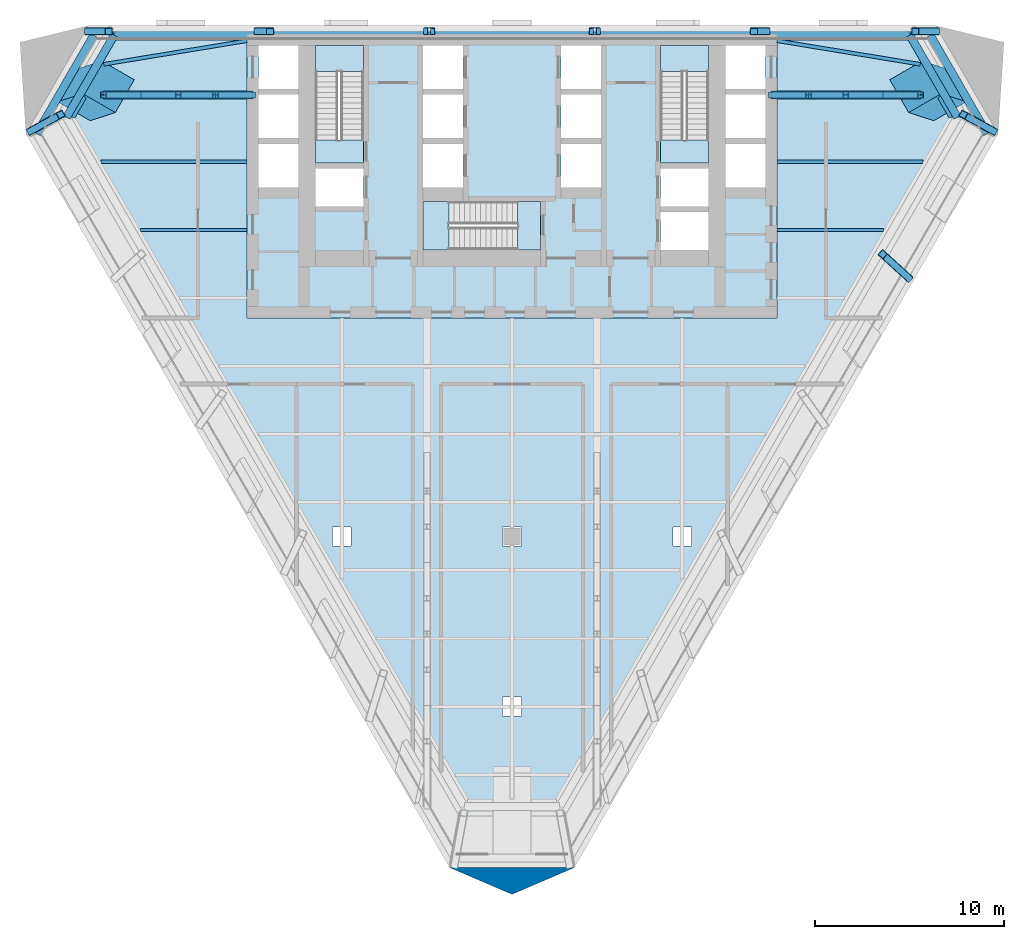
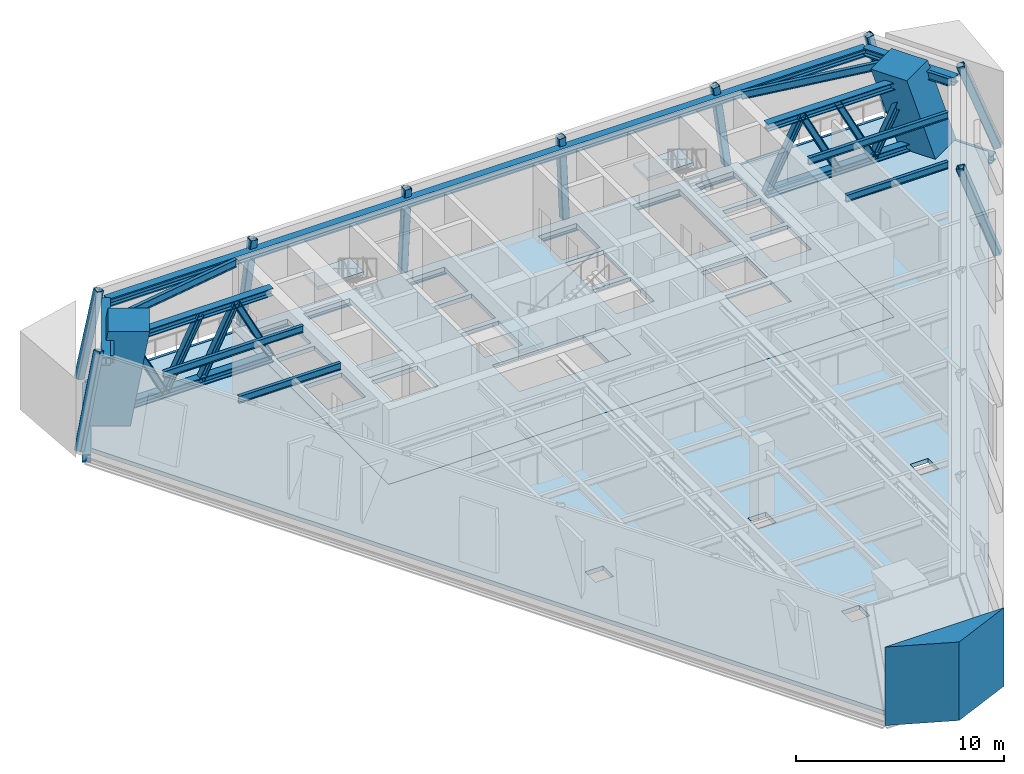
# One storey, part 2 of 9: 19 members, 18 beams, 8 slabs, 1 wall, 3 elements without a shape of their own.
"""IFC4 building model written with IfcOpenShell, lengths in metres."""

import ifcopenshell
import ifcopenshell.guid

model = None  # the IFC model being written
_history = None  # IfcOwnerHistory: only IFC2X3 demands one
_inside = {}  # id of a spatial element -> (the spatial element, [elements in it])
_under = {}  # id of a project, library or spatial element -> (it, [spatial elements below it])
_declared = {}  # id of a project -> (the project, [libraries it declares])
_typed = {}  # id of a type object -> (the type object, [elements of that type])
_made_of = {}  # id of a material, layer set ... -> (it, [elements and type objects made of it])


def new_model(schema):
    """Start an empty IFC model of exactly this schema.

    Asked for "IFC4X3", IfcOpenShell would pick the latest addendum, in which some entities
    have other attributes; the version numbers below select the first issue.
    IFC2X3 requires an IfcOwnerHistory on every rooted entity: one is made here for all.
    """
    global model, _history
    if schema == "IFC4X3":
        model = ifcopenshell.file(schema_version=(4, 3, 0, 0))
    else:
        model = ifcopenshell.file(schema=schema)
    _inside.clear()
    _under.clear()
    _declared.clear()
    _typed.clear()
    _made_of.clear()
    _history = None
    if model.schema == "IFC2X3":
        org = make("IfcOrganization", Name="unknown")
        user = make(
            "IfcPersonAndOrganization",
            ThePerson=make("IfcPerson", FamilyName="unknown"),
            TheOrganization=org,
        )
        app = make(
            "IfcApplication",
            ApplicationDeveloper=org,
            Version="unknown",
            ApplicationFullName="unknown",
            ApplicationIdentifier="unknown",
        )
        _history = make(
            "IfcOwnerHistory",
            OwningUser=user,
            OwningApplication=app,
            ChangeAction="ADDED",
            CreationDate=0,
        )
    return model


def make(cls, **values):
    """One entity of the class cls with the attributes given. An attribute that is None is left unset."""
    return model.create_entity(
        cls, **{name: value for name, value in values.items() if value is not None}
    )


def rooted(cls, **values):
    """An entity with a GlobalId (a new one), such as an element, a storey or a relation."""
    return make(cls, GlobalId=ifcopenshell.guid.new(), OwnerHistory=_history, **values)


def si_unit(unit_type, name, prefix=None):
    """IfcSIUnit, for example si_unit("LENGTHUNIT", "METRE", prefix="MILLI")."""
    return make("IfcSIUnit", UnitType=unit_type, Prefix=prefix, Name=name)


def assignment(units):
    """IfcUnitAssignment: the units of a project."""
    return None if units is None else make("IfcUnitAssignment", Units=units)


def point(xyz):
    """IfcCartesianPoint."""
    return None if xyz is None else make("IfcCartesianPoint", Coordinates=xyz)


def direction(xyz):
    """IfcDirection."""
    return None if xyz is None else make("IfcDirection", DirectionRatios=xyz)


def frame(location, z_axis=None, x_axis=None):
    """IfcAxis2Placement3D, a coordinate frame: its origin and axes. An axis left out is left unset."""
    return make(
        "IfcAxis2Placement3D",
        Location=point(location),
        Axis=direction(z_axis),
        RefDirection=direction(x_axis),
    )


def frame_2d(location, x_axis=None):
    """IfcAxis2Placement2D, a coordinate frame in the plane: its origin and x axis."""
    return make(
        "IfcAxis2Placement2D", Location=point(location), RefDirection=direction(x_axis)
    )


def origin():
    """The frame at (0, 0, 0) with its axes left unset."""
    return frame((0.0, 0.0, 0.0))


def origin_2d():
    """The frame at (0, 0) in the plane with its x axis left unset."""
    return frame_2d((0.0, 0.0))


def place(relative_to, where):
    """IfcLocalPlacement: puts the frame where relative to a parent placement (None: the world)."""
    return make(
        "IfcLocalPlacement", PlacementRelTo=relative_to, RelativePlacement=where
    )


def context(
    kind, dimensions, precision=None, world=None, true_north=None, identifier=None
):
    """IfcGeometricRepresentationContext, for example the 3D "Model" context."""
    return make(
        "IfcGeometricRepresentationContext",
        ContextIdentifier=identifier,
        ContextType=kind,
        CoordinateSpaceDimension=dimensions,
        Precision=precision,
        WorldCoordinateSystem=world,
        TrueNorth=true_north,
    )


def subcontext(parent, identifier, kind, view, scale=None):
    """IfcGeometricRepresentationSubContext, for example "Body" below "Model"."""
    return make(
        "IfcGeometricRepresentationSubContext",
        ContextIdentifier=identifier,
        ContextType=kind,
        ParentContext=parent,
        TargetScale=scale,
        TargetView=view,
    )


def project(units=None, contexts=None):
    """IfcProject with its units and contexts."""
    return rooted(
        "IfcProject",
        Name="project",
        RepresentationContexts=contexts,
        UnitsInContext=assignment(units),
    )


def spatial(cls, under=None, at=None, **own):
    """A site, building, storey or space (cls), placed at a placement, below another one or the project."""
    s = rooted(cls, ObjectPlacement=at, **own)
    if under is not None:
        _under.setdefault(under.id(), (under, []))[1].append(s)
    return s


def polyline(points):
    """IfcPolyline through the points."""
    return make("IfcPolyline", Points=[point(p) for p in points])


def profile(cls, at=None, kind="AREA", **sizes):
    """A parametric profile (cls). Its sizes go by their IFC names, for example OverallWidth=200.0."""
    return make(cls, ProfileType=kind, Position=at, **sizes)


def rectangle(**sizes):
    """IfcRectangleProfileDef."""
    return profile("IfcRectangleProfileDef", **sizes)


def hollow_rectangle(**sizes):
    """IfcRectangleHollowProfileDef."""
    return profile("IfcRectangleHollowProfileDef", **sizes)


def i_section(**sizes):
    """IfcIShapeProfileDef."""
    return profile("IfcIShapeProfileDef", **sizes)


def outline(outer, holes=None, kind="AREA"):
    """IfcArbitraryClosedProfileDef: a profile drawn as a closed curve; with holes, ...WithVoids."""
    if holes is None:
        return make("IfcArbitraryClosedProfileDef", ProfileType=kind, OuterCurve=outer)
    return make(
        "IfcArbitraryProfileDefWithVoids",
        ProfileType=kind,
        OuterCurve=outer,
        InnerCurves=holes,
    )


def extrude(swept, where, along, depth):
    """IfcExtrudedAreaSolid: the profile swept, set in the frame where, extruded along a direction by depth."""
    return make(
        "IfcExtrudedAreaSolid",
        SweptArea=swept,
        Position=where,
        ExtrudedDirection=direction(along),
        Depth=depth,
    )


def shape(context_of_items, identifier, shape_type, items):
    """IfcShapeRepresentation: the items that make up one representation, for example the "Body"."""
    return make(
        "IfcShapeRepresentation",
        ContextOfItems=context_of_items,
        RepresentationIdentifier=identifier,
        RepresentationType=shape_type,
        Items=items,
    )


def material(Name=None, Category=None):
    """IfcMaterial."""
    return make("IfcMaterial", Name=Name, Category=Category)


def layer(
    of_material, thickness, ventilated=None, Name=None, Category=None, Priority=None
):
    """IfcMaterialLayer: one layer of a wall or slab, of a material (None: an air gap)."""
    return make(
        "IfcMaterialLayer",
        Material=of_material,
        LayerThickness=thickness,
        IsVentilated=ventilated,
        Name=Name,
        Category=Category,
        Priority=Priority,
    )


def layer_set(layers, Name=None):
    """IfcMaterialLayerSet."""
    return make("IfcMaterialLayerSet", MaterialLayers=layers, LayerSetName=Name)


def material_profile(
    of_material, cross_section, Name=None, Category=None, Priority=None
):
    """IfcMaterialProfile: a cross section and its material."""
    return make(
        "IfcMaterialProfile",
        Name=Name,
        Material=of_material,
        Profile=cross_section,
        Priority=Priority,
        Category=Category,
    )


def profile_set(profiles, Name=None, composite=None):
    """IfcMaterialProfileSet."""
    return make(
        "IfcMaterialProfileSet",
        Name=Name,
        MaterialProfiles=profiles,
        CompositeProfile=composite,
    )


def made_of(thing, what):
    """Note that an element or type object is made of a material, layer set ...; save() writes the relation."""
    if what is not None:
        _made_of.setdefault(what.id(), (what, []))[1].append(thing)
    return thing


def type_object(cls, material=None, **own):
    """A type object (cls), such as IfcWallType, which elements share."""
    return made_of(rooted(cls, **own), material)


def element(
    cls,
    number,
    at=None,
    inside=None,
    cuts=None,
    type_object=None,
    material=None,
    context=None,
    identifier="Body",
    shape_type=None,
    held_by="IfcProductDefinitionShape",
    body=None,
    shapes=None,
    **own,
):
    """One element of the class cls, such as IfcWall. Its Tag is "e" and its number.

    at: its placement. inside: the storey or other place that contains it. cuts: it is an
    opening in that element (IfcRelVoidsElement). A single representation is given by context,
    identifier, shape_type and body (its items); several are given by shapes. held_by: the class
    of the entity that holds the representations. save() writes the other relations.
    """
    e = rooted(cls, Tag="e%d" % number, ObjectPlacement=at, **own)
    if body is not None:
        shapes = [shape(context, identifier, shape_type, body)]
    if shapes is not None:
        e.Representation = make(held_by, Representations=shapes)
    if inside is not None:
        _inside.setdefault(inside.id(), (inside, []))[1].append(e)
    if cuts is not None:
        rooted(
            "IfcRelVoidsElement", RelatingBuildingElement=cuts, RelatedOpeningElement=e
        )
    if type_object is not None:
        _typed.setdefault(type_object.id(), (type_object, []))[1].append(e)
    return made_of(e, material)


def aggregate(whole, parts):
    """IfcRelAggregates: a whole, such as a stair, and the parts it consists of."""
    return rooted("IfcRelAggregates", RelatingObject=whole, RelatedObjects=parts)


def save(model, path):
    """Write the relations noted so far, then the file.

    IfcRelAggregates (storeys below a building ...), IfcRelContainedInSpatialStructure (elements
    in a storey), IfcRelDefinesByType, IfcRelAssociatesMaterial and IfcRelDeclares: one each for
    every whole, place, type object, material and project.
    """
    for whole, parts in _under.values():
        aggregate(whole, parts)
    for where, things in _inside.values():
        rooted(
            "IfcRelContainedInSpatialStructure",
            RelatedElements=things,
            RelatingStructure=where,
        )
    for kind, things in _typed.values():
        rooted("IfcRelDefinesByType", RelatedObjects=things, RelatingType=kind)
    for what, things in _made_of.values():
        rooted("IfcRelAssociatesMaterial", RelatedObjects=things, RelatingMaterial=what)
    for by, libraries in _declared.values():
        rooted("IfcRelDeclares", RelatingContext=by, RelatedDefinitions=libraries)
    model.write(path)


model = new_model("IFC4")

# Units and contexts
model_context = context("Model", 3, precision=1e-05, world=origin(), true_north=direction((0.0, 1.0)))
body_context = subcontext(model_context, "Body", "Model", "MODEL_VIEW")
ifc_project = project(units=[si_unit("LENGTHUNIT", "METRE"), si_unit("AREAUNIT", "SQUARE_METRE"), si_unit("VOLUMEUNIT", "CUBIC_METRE"), si_unit("PLANEANGLEUNIT", "RADIAN"), si_unit("MASSUNIT", "GRAM", prefix="KILO")], contexts=[model_context])

# Site, building, storey
site_placement = place(None, origin())
site = spatial("IfcSite", under=ifc_project, at=site_placement, CompositionType="ELEMENT")
building_placement = place(site_placement, origin())
building = spatial("IfcBuilding", under=site, at=building_placement, Name="Aloe Facet Convention Tower", CompositionType="ELEMENT")
storey_placement = place(building_placement, frame((0.0, 0.0, 77.0)))
storey = spatial("IfcBuildingStorey", under=building, at=storey_placement, Name="L18", CompositionType="ELEMENT", Elevation=77.0)

# Beams
ifc_material_1 = material(Name="Steel S355", Category="steel")
ifc_material_profile_1 = material_profile(ifc_material_1, i_section(OverallWidth=0.177734375, OverallDepth=0.402587890625, WebThickness=0.0078125, FlangeThickness=0.010986328125, FilletRadius=0.01025390625, at=origin_2d()), Name="UB 406x178x54")
ifc_profile_set_1 = profile_set([ifc_material_profile_1], Name="Steel S355")
beam_type_1 = type_object("IfcBeamType", Name="SF-B-UB406x178x54", PredefinedType="BEAM", material=ifc_profile_set_1)
beam_1_placement = place(storey_placement, frame((58.27294921875, 127.800048828125, 4.148681640625), z_axis=(1.0, 0.0, 0.0), x_axis=(0.0, 1.0, 0.0)))
element("IfcBeam", 1, at=beam_1_placement, inside=storey, type_object=beam_type_1, Name="Floor beam FB-Z2A-013", PredefinedType="BEAM", context=body_context, shape_type="SweptSolid", body=[
    extrude(i_section(OverallWidth=0.177734375, OverallDepth=0.402587890625, WebThickness=0.0078125, FlangeThickness=0.010986328125, FilletRadius=0.01025390625, at=origin_2d()), origin(), (0.0, 0.0, 1.0), 7.72705078125),
])
for number, where, z_axis, x_axis, name in (
    (2, (60.351318359375, 124.199951171875, 4.148681640625), (1.0, 0.0, 0.0), (0.0, 1.0, 0.0), "Floor beam FB-Z2A-014"),
    (3, (94.0, 124.199951171875, 4.148681640625), (1.0, 0.0, 0.0), (0.0, 1.0, 0.0), "Floor beam FB-Z2A-037"),
):
    element("IfcBeam", number, at=place(storey_placement, frame(where, z_axis=z_axis, x_axis=x_axis)), inside=storey, type_object=beam_type_1, Name=name, PredefinedType="BEAM", context=body_context, shape_type="SweptSolid", body=[
        extrude(i_section(OverallWidth=0.177734375, OverallDepth=0.402587890625, WebThickness=0.0078125, FlangeThickness=0.010986328125, FilletRadius=0.01025390625, at=origin_2d()), origin(), (0.0, 0.0, 1.0), 5.648681640625),
    ])
beam_2_placement = place(storey_placement, frame((94.0, 127.800048828125, 4.148681640625), z_axis=(1.0, 0.0, 0.0), x_axis=(0.0, 1.0, 0.0)))
element("IfcBeam", 4, at=beam_2_placement, inside=storey, type_object=beam_type_1, Name="Floor beam FB-Z2A-038", PredefinedType="BEAM", context=body_context, shape_type="SweptSolid", body=[
    extrude(i_section(OverallWidth=0.177734375, OverallDepth=0.402587890625, WebThickness=0.0078125, FlangeThickness=0.010986328125, FilletRadius=0.01025390625, at=origin_2d()), origin(), (0.0, 0.0, 1.0), 7.72705078125),
])
ifc_material_2 = material(Name="Steel S355", Category="steel")
ifc_material_profile_2 = material_profile(ifc_material_2, i_section(OverallWidth=0.18994140625, OverallDepth=0.453369140625, WebThickness=0.008544921875, FlangeThickness=0.0126953125, FilletRadius=0.01025390625, at=origin_2d()), Name="UB 457x191x67")
ifc_profile_set_2 = profile_set([ifc_material_profile_2], Name="Steel S355")
beam_type_2 = type_object("IfcBeamType", Name="SF-B-UB457x191x67", PredefinedType="BEAM", material=ifc_profile_set_2)
beam_3_placement = place(storey_placement, frame((56.79638671875, 130.150390625, 4.123291015625), z_axis=(0.500045345388, 0.865999222029, 0.0), x_axis=(-0.865999222029, 0.500045345388, 0.0)))
element("IfcBeam", 5, at=beam_3_placement, inside=storey, type_object=beam_type_2, Name="Floor beam FB-Z2A-001", PredefinedType="BEAM", context=body_context, shape_type="SweptSolid", body=[
    extrude(i_section(OverallWidth=0.18994140625, OverallDepth=0.453369140625, WebThickness=0.008544921875, FlangeThickness=0.0126953125, FilletRadius=0.01025390625, at=origin_2d()), origin(), (0.0, 0.0, 1.0), 1.24365234375),
])
for number, where, z_axis, x_axis, name in (
    (6, (58.418212890625, 132.959228515625, 4.123291015625), (0.986766639982, 0.162146841534, 0.0), (-0.162146841534, 0.986766639982, 0.0), "Floor beam FB-Z2A-002"),
    (7, (101.581787109375, 132.959228515625, 4.123291015625), (-0.986766639982, 0.162146841534, 0.0), (-0.162146841534, -0.986766639982, 0.0), "Floor beam FB-Z2A-006"),
):
    element("IfcBeam", number, at=place(storey_placement, frame(where, z_axis=z_axis, x_axis=x_axis)), inside=storey, type_object=beam_type_2, Name=name, PredefinedType="BEAM", context=body_context, shape_type="SweptSolid", body=[
        extrude(i_section(OverallWidth=0.18994140625, OverallDepth=0.453369140625, WebThickness=0.008544921875, FlangeThickness=0.0126953125, FilletRadius=0.01025390625, at=origin_2d()), origin(), (0.0, 0.0, 1.0), 7.683349609375),
    ])
beam_4_placement = place(storey_placement, frame((102.581787109375, 131.227294921875, 4.123291015625), z_axis=(0.500045345388, -0.865999222029, 0.0), x_axis=(0.865999222029, 0.500045345388, 0.0)))
element("IfcBeam", 8, at=beam_4_placement, inside=storey, type_object=beam_type_2, Name="Floor beam FB-Z2A-007", PredefinedType="BEAM", context=body_context, shape_type="SweptSolid", body=[
    extrude(i_section(OverallWidth=0.18994140625, OverallDepth=0.453369140625, WebThickness=0.008544921875, FlangeThickness=0.0126953125, FilletRadius=0.01025390625, at=origin_2d()), origin(), (0.0, 0.0, 1.0), 1.24365234375),
])
ifc_material_3 = material(Name="Steel S355", Category="steel")
ifc_material_profile_3 = material_profile(ifc_material_3, i_section(OverallWidth=0.424072265625, OverallDepth=0.474609375, WebThickness=0.047607421875, FlangeThickness=0.076904296875, FilletRadius=0.01513671875, at=origin_2d()), Name="UC 356x406x634")
ifc_profile_set_3 = profile_set([ifc_material_profile_3], Name="Steel S355")
beam_type_3 = type_object("IfcBeamType", Name="STW-BC-L18", PredefinedType="BEAM", material=ifc_profile_set_3)
for number, where, z_axis, x_axis, name in (
    (9, (102.111328125, 134.5, -0.4873046875), (0.49998445949, -0.866034375916, 0.0), (0.866034375916, 0.49998445949, 0.0), "Belt chord BC-L18-L-01"),
    (10, (54.87744140625, 129.2841796875, -0.4873046875), (0.49998445949, 0.866034375916, 0.0), (-0.866034375916, 0.49998445949, 0.0), "Belt chord BC-L18-L-05"),
):
    element("IfcBeam", number, at=place(storey_placement, frame(where, z_axis=z_axis, x_axis=x_axis)), inside=storey, type_object=beam_type_3, Name=name, PredefinedType="BEAM", context=body_context, shape_type="SweptSolid", body=[
        extrude(i_section(OverallWidth=0.424072265625, OverallDepth=0.474609375, WebThickness=0.047607421875, FlangeThickness=0.076904296875, FilletRadius=0.01513671875, at=origin_2d()), origin(), (0.0, 0.0, 1.0), 6.022705078125),
    ])
beam_5_placement = place(storey_placement, frame((57.888671875, 134.5, -0.4873046875), z_axis=(1.0, 0.0, 0.0), x_axis=(0.0, 1.0, 0.0)))
element("IfcBeam", 11, at=beam_5_placement, inside=storey, type_object=beam_type_3, Name="Belt chord BC-L18-L-06", PredefinedType="BEAM", context=body_context, shape_type="SweptSolid", body=[
    extrude(i_section(OverallWidth=0.424072265625, OverallDepth=0.474609375, WebThickness=0.047607421875, FlangeThickness=0.076904296875, FilletRadius=0.01513671875, at=origin_2d()), origin(), (0.0, 0.0, 1.0), 44.22265625),
])
for number, where, z_axis, x_axis, name in (
    (12, (101.032958984375, 134.5, 4.11279296875), (0.499976312931, -0.866039079088, 0.0), (0.866039079088, 0.499976312931, 0.0), "Belt chord BC-L18-U-01"),
    (13, (56.455810546875, 130.150146484375, 4.11279296875), (0.499976312931, 0.866039079088, 0.0), (-0.866039079088, 0.499976312931, 0.0), "Belt chord BC-L18-U-05"),
):
    element("IfcBeam", number, at=place(storey_placement, frame(where, z_axis=z_axis, x_axis=x_axis)), inside=storey, type_object=beam_type_3, Name=name, PredefinedType="BEAM", context=body_context, shape_type="SweptSolid", body=[
        extrude(i_section(OverallWidth=0.424072265625, OverallDepth=0.474609375, WebThickness=0.047607421875, FlangeThickness=0.076904296875, FilletRadius=0.01513671875, at=origin_2d()), origin(), (0.0, 0.0, 1.0), 5.022705078125),
    ])
beam_6_placement = place(storey_placement, frame((58.967041015625, 134.5, 4.11279296875), z_axis=(1.0, 0.0, 0.0), x_axis=(0.0, 1.0, 0.0)))
element("IfcBeam", 14, at=beam_6_placement, inside=storey, type_object=beam_type_3, Name="Belt chord BC-L18-U-06", PredefinedType="BEAM", context=body_context, shape_type="SweptSolid", body=[
    extrude(i_section(OverallWidth=0.424072265625, OverallDepth=0.474609375, WebThickness=0.047607421875, FlangeThickness=0.076904296875, FilletRadius=0.01513671875, at=origin_2d()), origin(), (0.0, 0.0, 1.0), 42.06591796875),
])

# Members
ifc_material_4 = material(Name="Steel S355", Category="steel")
ifc_material_profile_4 = material_profile(ifc_material_4, hollow_rectangle(XDim=0.39990234375, YDim=0.39990234375, WallThickness=0.02490234375, InnerFilletRadius=0.02490234375, OuterFilletRadius=0.050048828125, at=origin_2d()), Name="SHS 400x400x25")
ifc_profile_set_4 = profile_set([ifc_material_profile_4], Name="Steel S355")
member_type_1 = type_object("IfcMemberType", Name="STW-BW-L18", PredefinedType="BRACE", material=ifc_profile_set_4)
member_1_placement = place(storey_placement, frame((102.39990234375, 134.699951171875, 0.0), z_axis=(-0.219194534934, 0.0, 0.97568117531), x_axis=(0.0, -1.0, 0.0)))
element("IfcMember", 15, at=member_1_placement, inside=storey, type_object=member_type_1, Name="Belt web BW-L18-F1-01", PredefinedType="BRACE", context=body_context, shape_type="SweptSolid", body=[
    extrude(hollow_rectangle(XDim=0.39990234375, YDim=0.39990234375, WallThickness=0.02490234375, InnerFilletRadius=0.02490234375, OuterFilletRadius=0.050048828125, at=origin_2d()), origin(), (0.0, 0.0, 1.0), 4.919677734375),
])
member_2_placement = place(storey_placement, frame((93.43994140625, 134.699951171875, 0.0), z_axis=(-0.133576723401, 0.0, 0.991038475018), x_axis=(0.0, -1.0, 0.0)))
element("IfcMember", 16, at=member_2_placement, inside=storey, type_object=member_type_1, Name="Belt web BW-L18-F1-02", PredefinedType="BRACE", context=body_context, shape_type="SweptSolid", body=[
    extrude(hollow_rectangle(XDim=0.39990234375, YDim=0.39990234375, WallThickness=0.02490234375, InnerFilletRadius=0.02490234375, OuterFilletRadius=0.050048828125, at=origin_2d()), origin(), (0.0, 0.0, 1.0), 4.843505859375),
])
for number, where, z_axis, x_axis, name in (
    (17, (84.47998046875, 134.699951171875, 0.0), (-0.044866020577, 0.0, 0.998993013087), (0.0, -1.0, 0.0), "Belt web BW-L18-F1-03"),
    (18, (75.52001953125, 134.699951171875, 0.0), (0.044866020577, 0.0, 0.998993013087), (0.0, 1.0, 0.0), "Belt web BW-L18-F1-04"),
):
    element("IfcMember", number, at=place(storey_placement, frame(where, z_axis=z_axis, x_axis=x_axis)), inside=storey, type_object=member_type_1, Name=name, PredefinedType="BRACE", context=body_context, shape_type="SweptSolid", body=[
        extrude(hollow_rectangle(XDim=0.39990234375, YDim=0.39990234375, WallThickness=0.02490234375, InnerFilletRadius=0.02490234375, OuterFilletRadius=0.050048828125, at=origin_2d()), origin(), (0.0, 0.0, 1.0), 4.804931640625),
    ])
member_3_placement = place(storey_placement, frame((66.56005859375, 134.699951171875, 0.0), z_axis=(0.133576723401, 0.0, 0.991038475018), x_axis=(0.0, 1.0, 0.0)))
element("IfcMember", 19, at=member_3_placement, inside=storey, type_object=member_type_1, Name="Belt web BW-L18-F1-05", PredefinedType="BRACE", context=body_context, shape_type="SweptSolid", body=[
    extrude(hollow_rectangle(XDim=0.39990234375, YDim=0.39990234375, WallThickness=0.02490234375, InnerFilletRadius=0.02490234375, OuterFilletRadius=0.050048828125, at=origin_2d()), origin(), (0.0, 0.0, 1.0), 4.843505859375),
])
member_4_placement = place(storey_placement, frame((57.60009765625, 134.699951171875, 0.0), z_axis=(0.219194534934, 0.0, 0.97568117531), x_axis=(0.0, 1.0, 0.0)))
element("IfcMember", 20, at=member_4_placement, inside=storey, type_object=member_type_1, Name="Belt web BW-L18-F1-06", PredefinedType="BRACE", context=body_context, shape_type="SweptSolid", body=[
    extrude(hollow_rectangle(XDim=0.39990234375, YDim=0.39990234375, WallThickness=0.02490234375, InnerFilletRadius=0.02490234375, OuterFilletRadius=0.050048828125, at=origin_2d()), origin(), (0.0, 0.0, 1.0), 4.919677734375),
])
member_5_placement = place(storey_placement, frame((54.559814453125, 129.434326171875, 0.0), z_axis=(0.307880756681, 0.168917717548, 0.936309908291), x_axis=(-0.481007483868, 0.876716488075, 0.0)))
element("IfcMember", 21, at=member_5_placement, inside=storey, type_object=member_type_1, Name="Belt web BW-L18-F2-01", PredefinedType="BRACE", context=body_context, shape_type="SweptSolid", body=[
    extrude(hollow_rectangle(XDim=0.39990234375, YDim=0.39990234375, WallThickness=0.02490234375, InnerFilletRadius=0.02490234375, OuterFilletRadius=0.050048828125, at=origin_2d()), origin(), (0.0, 0.0, 1.0), 5.12646484375),
])
member_6_placement = place(storey_placement, frame((100.960205078125, 121.674560546875, 0.0), z_axis=(-0.26505936473, 0.241127096757, 0.93359587423), x_axis=(-0.67292339919, -0.739712172958, 0.0)))
element("IfcMember", 22, at=member_6_placement, inside=storey, type_object=member_type_1, Name="Belt web BW-L18-F3-05", PredefinedType="BRACE", context=body_context, shape_type="SweptSolid", body=[
    extrude(hollow_rectangle(XDim=0.39990234375, YDim=0.39990234375, WallThickness=0.02490234375, InnerFilletRadius=0.02490234375, OuterFilletRadius=0.050048828125, at=origin_2d()), origin(), (0.0, 0.0, 1.0), 5.141357421875),
])
member_7_placement = place(storey_placement, frame((105.440185546875, 129.434326171875, 0.0), z_axis=(-0.307880756681, 0.168917717548, 0.936309908291), x_axis=(-0.481007483868, -0.876716488075, 0.0)))
element("IfcMember", 23, at=member_7_placement, inside=storey, type_object=member_type_1, Name="Belt web BW-L18-F3-06", PredefinedType="BRACE", context=body_context, shape_type="SweptSolid", body=[
    extrude(hollow_rectangle(XDim=0.39990234375, YDim=0.39990234375, WallThickness=0.02490234375, InnerFilletRadius=0.02490234375, OuterFilletRadius=0.050048828125, at=origin_2d()), origin(), (0.0, 0.0, 1.0), 5.12646484375),
])
ifc_material_5 = material(Name="Concrete C80/95", Category="concrete")
ifc_material_profile_5 = material_profile(ifc_material_5, rectangle(XDim=2.0, YDim=2.0, at=origin_2d()), Name="STW-MJ-Z1")
ifc_profile_set_5 = profile_set([ifc_material_profile_5], Name="Concrete C80/95")
member_type_2 = type_object("IfcMemberType", Name="STW-MJ-Z1", PredefinedType="STRUT", material=ifc_profile_set_5)
member_8_placement = place(storey_placement, frame((102.664306640625, 131.342041015625, 0.0), z_axis=(0.0, 0.0, 1.0), x_axis=(-0.5, 0.866025403784, 0.0)))
element("IfcMember", 24, at=member_8_placement, inside=storey, type_object=member_type_2, Name="Transfer jog MC-NE-L18", PredefinedType="STRUT", context=body_context, shape_type="SweptSolid", body=[
    extrude(rectangle(XDim=2.0, YDim=2.0, at=origin_2d()), origin(), (0.20788369396, 0.186797334364, 0.960151615975), 4.999267578125),
])
member_9_placement = place(storey_placement, frame((57.335693359375, 131.342041015625, 0.0), z_axis=(0.0, 0.0, 1.0), x_axis=(-0.5, -0.866025403784, 0.0)))
element("IfcMember", 25, at=member_9_placement, inside=storey, type_object=member_type_2, Name="Transfer jog MC-NW-L18", PredefinedType="STRUT", context=body_context, shape_type="SweptSolid", body=[
    extrude(rectangle(XDim=2.0, YDim=2.0, at=origin_2d()), origin(), (-0.20788369396, 0.186797334364, 0.960151615975), 4.999267578125),
])

# Beams
ifc_material_6 = material(Name="Steel S355", Category="steel")
ifc_material_profile_6 = material_profile(ifc_material_6, i_section(OverallWidth=0.412109375, OverallDepth=0.4365234375, WebThickness=0.035888671875, FlangeThickness=0.048095703125, FilletRadius=0.01513671875, at=origin_2d()), Name="UC 356x406x467")
ifc_profile_set_6 = profile_set([ifc_material_profile_6], Name="Steel S355")
beam_type_4 = type_object("IfcBeamType", Name="STW-OC-L18", PredefinedType="BEAM", material=ifc_profile_set_6)
for number, where, z_axis, x_axis, name in (
    (26, (93.699951171875, 131.342041015625, 0.248291015625), (1.0, 0.0, 0.0), (0.0, 1.0, 0.0), "Outrigger chord OR-L18-NE-B"),
    (27, (93.699951171875, 131.342041015625, 4.131591796875), (1.0, 0.0, 0.0), (0.0, 1.0, 0.0), "Outrigger chord OR-L18-NE-T"),
    (28, (66.300048828125, 131.342041015625, 0.248291015625), (-1.0, 0.0, 0.0), (0.0, -1.0, 0.0), "Outrigger chord OR-L18-NW-B"),
    (29, (66.300048828125, 131.342041015625, 4.131591796875), (-1.0, 0.0, 0.0), (0.0, -1.0, 0.0), "Outrigger chord OR-L18-NW-T"),
):
    element("IfcBeam", number, at=place(storey_placement, frame(where, z_axis=z_axis, x_axis=x_axis)), inside=storey, type_object=beam_type_4, Name=name, PredefinedType="BEAM", context=body_context, shape_type="SweptSolid", body=[
        extrude(i_section(OverallWidth=0.412109375, OverallDepth=0.4365234375, WebThickness=0.035888671875, FlangeThickness=0.048095703125, FilletRadius=0.01513671875, at=origin_2d()), origin(), (0.0, 0.0, 1.0), 7.8984375),
    ])

# Members
ifc_material_7 = material(Name="Steel S355", Category="steel")
ifc_material_profile_7 = material_profile(ifc_material_7, i_section(OverallWidth=0.314453125, OverallDepth=0.33984375, WebThickness=0.01904296875, FlangeThickness=0.031494140625, FilletRadius=0.01513671875, at=origin_2d()), Name="UC 305x305x198")
ifc_profile_set_7 = profile_set([ifc_material_profile_7], Name="Steel S355")
member_type_3 = type_object("IfcMemberType", Name="STW-OD-L18", PredefinedType="BRACE", material=ifc_profile_set_7)
for number, where, z_axis, x_axis, name in (
    (30, (93.699951171875, 131.342041015625, 0.248291015625), (0.45325573289, 0.0, 0.891380525142), (0.0, 1.0, 0.0), "Outrigger diagonal OR-L18-NE-D01"),
    (31, (95.674560546875, 131.342041015625, 4.131591796875), (0.45325573289, 0.0, -0.891380525142), (0.0, 1.0, 0.0), "Outrigger diagonal OR-L18-NE-D02"),
    (32, (97.649169921875, 131.342041015625, 4.131591796875), (0.45325573289, 0.0, -0.891380525142), (0.0, 1.0, 0.0), "Outrigger diagonal OR-L18-NE-D03"),
    (33, (99.623779296875, 131.342041015625, 0.248291015625), (0.45325573289, 0.0, 0.891380525142), (0.0, 1.0, 0.0), "Outrigger diagonal OR-L18-NE-D04"),
    (34, (66.300048828125, 131.342041015625, 0.248291015625), (-0.45325573289, 0.0, 0.891380525142), (0.0, -1.0, 0.0), "Outrigger diagonal OR-L18-NW-D01"),
    (35, (64.325439453125, 131.342041015625, 4.131591796875), (-0.45325573289, 0.0, -0.891380525142), (0.0, -1.0, 0.0), "Outrigger diagonal OR-L18-NW-D02"),
    (36, (62.350830078125, 131.342041015625, 4.131591796875), (-0.45325573289, 0.0, -0.891380525142), (0.0, -1.0, 0.0), "Outrigger diagonal OR-L18-NW-D03"),
    (37, (60.376220703125, 131.342041015625, 0.248291015625), (-0.45325573289, 0.0, 0.891380525142), (0.0, -1.0, 0.0), "Outrigger diagonal OR-L18-NW-D04"),
):
    element("IfcMember", number, at=place(storey_placement, frame(where, z_axis=z_axis, x_axis=x_axis)), inside=storey, type_object=member_type_3, Name=name, PredefinedType="BRACE", context=body_context, shape_type="SweptSolid", body=[
        extrude(i_section(OverallWidth=0.314453125, OverallDepth=0.33984375, WebThickness=0.01904296875, FlangeThickness=0.031494140625, FilletRadius=0.01513671875, at=origin_2d()), origin(), (0.0, 0.0, 1.0), 4.3564453125),
    ])

# Slabs
ifc_material_8 = material(Name="Concrete C80/95", Category="concrete")
ifc_layer_1 = layer(ifc_material_8, 0.25)
ifc_layer_set_1 = layer_set([ifc_layer_1], Name="CR-S-FLOOR250-C8095")
slab_type_1 = type_object("IfcSlabType", Name="CR-S-FLOOR250-C8095", PredefinedType="FLOOR", material=ifc_layer_set_1)
slab_1_placement = place(storey_placement, frame((0.0, 0.0, -0.25)))
element("IfcSlab", 38, at=slab_1_placement, inside=storey, type_object=slab_type_1, Name="Core floor L18", PredefinedType="FLOOR", context=body_context, shape_type="SweptSolid", body=[
    extrude(outline(polyline([(69.300048828125, 134.550048828125), (71.85009765625, 134.550048828125), (72.75, 134.550048828125), (74.699951171875, 134.550048828125), (75.60009765625, 134.550048828125), (77.10009765625, 134.550048828125), (78.0, 134.550048828125), (82.0, 134.550048828125), (82.89990234375, 134.550048828125), (84.39990234375, 134.550048828125), (85.300048828125, 134.550048828125), (87.25, 134.550048828125), (88.14990234375, 134.550048828125), (90.699951171875, 134.550048828125), (91.0, 134.550048828125), (94.0, 134.550048828125), (94.0, 131.949951171875), (94.0, 131.050048828125), (94.0, 129.35009765625), (94.0, 128.449951171875), (94.0, 126.449951171875), (94.0, 125.85009765625), (94.0, 124.5), (94.0, 123.449951171875), (94.0, 122.550048828125), (94.0, 121.5), (94.0, 119.550048828125), (90.699951171875, 119.550048828125), (87.89990234375, 119.550048828125), (86.85009765625, 119.550048828125), (85.699951171875, 119.550048828125), (84.64990234375, 119.550048828125), (83.699951171875, 119.550048828125), (82.64990234375, 119.550048828125), (81.75, 119.550048828125), (80.699951171875, 119.550048828125), (79.61669921875, 119.550048828125), (78.566650390625, 119.550048828125), (77.4833984375, 119.550048828125), (76.433349609375, 119.550048828125), (75.35009765625, 119.550048828125), (74.300048828125, 119.550048828125), (73.14990234375, 119.550048828125), (72.10009765625, 119.550048828125), (69.300048828125, 119.550048828125), (68.699951171875, 119.550048828125), (66.0, 119.550048828125), (66.0, 122.523681640625), (66.0, 123.57373046875), (66.0, 125.85009765625), (66.0, 126.449951171875), (66.0, 128.449951171875), (66.0, 129.35009765625), (66.0, 131.050048828125), (66.0, 131.949951171875), (66.0, 134.550048828125), (69.0, 134.550048828125), (69.300048828125, 134.550048828125)]), holes=[polyline([(75.300048828125, 123.14990234375), (80.298828125, 123.14990234375), (81.5, 123.14990234375), (81.5, 125.699951171875), (80.298828125, 125.699951171875), (75.300048828125, 125.699951171875), (75.300048828125, 123.14990234375)]), polyline([(69.60009765625, 125.449951171875), (72.14990234375, 125.449951171875), (72.14990234375, 127.449951171875), (69.60009765625, 127.449951171875), (69.60009765625, 125.449951171875)]), polyline([(66.60009765625, 126.449951171875), (68.699951171875, 126.449951171875), (68.699951171875, 128.75), (66.60009765625, 128.75), (66.60009765625, 126.449951171875)]), polyline([(75.300048828125, 126.449951171875), (77.39990234375, 126.449951171875), (77.39990234375, 128.75), (75.300048828125, 128.75), (75.300048828125, 126.449951171875)]), polyline([(66.60009765625, 129.050048828125), (68.699951171875, 129.050048828125), (68.699951171875, 131.35009765625), (66.60009765625, 131.35009765625), (66.60009765625, 129.050048828125)]), polyline([(75.300048828125, 129.050048828125), (77.39990234375, 129.050048828125), (77.39990234375, 131.35009765625), (75.300048828125, 131.35009765625), (75.300048828125, 129.050048828125)]), polyline([(69.60009765625, 133.949951171875), (69.60009765625, 128.951171875), (69.60009765625, 127.75), (72.14990234375, 127.75), (72.14990234375, 128.951171875), (72.14990234375, 133.949951171875), (69.60009765625, 133.949951171875)]), polyline([(66.60009765625, 133.949951171875), (66.60009765625, 131.64990234375), (68.699951171875, 131.64990234375), (68.699951171875, 133.949951171875), (66.60009765625, 133.949951171875)]), polyline([(75.300048828125, 133.949951171875), (75.300048828125, 131.64990234375), (77.39990234375, 131.64990234375), (77.39990234375, 133.949951171875), (75.300048828125, 133.949951171875)]), polyline([(87.85009765625, 123.14990234375), (90.39990234375, 123.14990234375), (90.39990234375, 125.14990234375), (87.85009765625, 125.14990234375), (87.85009765625, 123.14990234375)]), polyline([(87.85009765625, 125.449951171875), (90.39990234375, 125.449951171875), (90.39990234375, 127.449951171875), (87.85009765625, 127.449951171875), (87.85009765625, 125.449951171875)]), polyline([(82.60009765625, 126.449951171875), (84.699951171875, 126.449951171875), (84.699951171875, 128.75), (82.60009765625, 128.75), (82.60009765625, 126.449951171875)]), polyline([(91.300048828125, 126.449951171875), (93.39990234375, 126.449951171875), (93.39990234375, 128.75), (91.300048828125, 128.75), (91.300048828125, 126.449951171875)]), polyline([(82.60009765625, 129.050048828125), (84.699951171875, 129.050048828125), (84.699951171875, 131.35009765625), (82.60009765625, 131.35009765625), (82.60009765625, 129.050048828125)]), polyline([(91.300048828125, 129.050048828125), (93.39990234375, 129.050048828125), (93.39990234375, 131.35009765625), (91.300048828125, 131.35009765625), (91.300048828125, 129.050048828125)]), polyline([(87.85009765625, 133.949951171875), (87.85009765625, 128.951171875), (87.85009765625, 127.75), (90.39990234375, 127.75), (90.39990234375, 128.951171875), (90.39990234375, 133.949951171875), (87.85009765625, 133.949951171875)]), polyline([(82.60009765625, 133.949951171875), (82.60009765625, 131.64990234375), (84.699951171875, 131.64990234375), (84.699951171875, 133.949951171875), (82.60009765625, 133.949951171875)]), polyline([(91.300048828125, 133.949951171875), (91.300048828125, 131.64990234375), (93.39990234375, 131.64990234375), (93.39990234375, 133.949951171875), (91.300048828125, 133.949951171875)])]), origin(), (0.0, 0.0, 1.0), 0.25),
])
ifc_material_9 = material(Name="Concrete C80/95", Category="concrete")
ifc_layer_2 = layer(ifc_material_9, 0.300048828125)
ifc_layer_set_2 = layer_set([ifc_layer_2], Name="CR-S-FLOOR300-C8095")
slab_type_2 = type_object("IfcSlabType", Name="CR-S-FLOOR300-C8095", PredefinedType="FLOOR", material=ifc_layer_set_2)
slab_2_placement = place(storey_placement, frame((0.0, 0.0, -0.300048828125)))
element("IfcSlab", 39, at=slab_2_placement, inside=storey, type_object=slab_type_2, Name="Stair landing floor L18", PredefinedType="FLOOR", context=body_context, shape_type="SweptSolid", body=[
    extrude(outline(polyline([(72.14990234375, 127.75), (72.14990234375, 128.951171875), (69.60009765625, 128.951171875), (69.60009765625, 127.75), (72.14990234375, 127.75)])), origin(), (0.0, 0.0, 1.0), 0.300048828125),
])
slab_3_placement = place(storey_placement, frame((0.0, 0.0, -0.300048828125)))
element("IfcSlab", 40, at=slab_3_placement, inside=storey, type_object=slab_type_2, Name="Stair landing floor L18", PredefinedType="FLOOR", context=body_context, shape_type="SweptSolid", body=[
    extrude(outline(polyline([(90.39990234375, 127.75), (90.39990234375, 128.951171875), (87.85009765625, 128.951171875), (87.85009765625, 127.75), (90.39990234375, 127.75)])), origin(), (0.0, 0.0, 1.0), 0.300048828125),
])
slab_4_placement = place(storey_placement, frame((0.0, 0.0, -0.300048828125)))
element("IfcSlab", 41, at=slab_4_placement, inside=storey, type_object=slab_type_2, Name="Stair landing floor L18", PredefinedType="FLOOR", context=body_context, shape_type="SweptSolid", body=[
    extrude(outline(polyline([(81.5, 125.699951171875), (80.298828125, 125.699951171875), (80.298828125, 123.14990234375), (81.5, 123.14990234375), (81.5, 125.699951171875)])), origin(), (0.0, 0.0, 1.0), 0.300048828125),
])

# Stair, slab
ifc_material_10 = material(Name="Concrete C50/60", Category="concrete")
stair_type = type_object("IfcStairType", Name="CR-ST-28R", PredefinedType="HALF_TURN_STAIR", material=ifc_material_10)
stair_1_placement = place(storey_placement, origin())
stair_1 = element("IfcStair", 42, at=stair_1_placement, inside=storey, type_object=stair_type, Name="L18 Protected exit stair ST1", PredefinedType="HALF_TURN_STAIR")
ifc_material_11 = material(Name="Concrete C50/60", Category="concrete")
ifc_layer_3 = layer(ifc_material_11, 0.199951171875)
ifc_layer_set_3 = layer_set([ifc_layer_3], Name="CR-SL-LANDING")
slab_type_3 = type_object("IfcSlabType", Name="CR-SL-LANDING", PredefinedType="LANDING", material=ifc_layer_set_3)
slab_5_placement = place(storey_placement, frame((0.0, 0.0, 2.199951171875)))
slab_5 = element("IfcSlab", 43, at=slab_5_placement, type_object=slab_type_3, Name="ST1 landing 1", PredefinedType="LANDING", context=body_context, shape_type="SweptSolid", body=[
    extrude(outline(polyline([(72.14990234375, 132.590087890625), (72.14990234375, 133.949951171875), (69.60009765625, 133.949951171875), (69.60009765625, 132.590087890625), (72.14990234375, 132.590087890625)])), origin(), (0.0, 0.0, 1.0), 0.199951171875),
])
aggregate(stair_1, [slab_5])

stair_2_placement = place(storey_placement, origin())
stair_2 = element("IfcStair", 44, at=stair_2_placement, inside=storey, type_object=stair_type, Name="L18 Protected exit stair ST2", PredefinedType="HALF_TURN_STAIR")
slab_6_placement = place(storey_placement, frame((0.0, 0.0, 2.199951171875)))
slab_6 = element("IfcSlab", 45, at=slab_6_placement, type_object=slab_type_3, Name="ST2 landing 1", PredefinedType="LANDING", context=body_context, shape_type="SweptSolid", body=[
    extrude(outline(polyline([(90.39990234375, 132.590087890625), (90.39990234375, 133.949951171875), (87.85009765625, 133.949951171875), (87.85009765625, 132.590087890625), (90.39990234375, 132.590087890625)])), origin(), (0.0, 0.0, 1.0), 0.199951171875),
])
aggregate(stair_2, [slab_6])

stair_3_placement = place(storey_placement, origin())
stair_3 = element("IfcStair", 46, at=stair_3_placement, inside=storey, type_object=stair_type, Name="L18 Protected exit stair ST3", PredefinedType="HALF_TURN_STAIR")
slab_7_placement = place(storey_placement, frame((0.0, 0.0, 2.199951171875)))
slab_7 = element("IfcSlab", 47, at=slab_7_placement, type_object=slab_type_3, Name="ST3 landing 1", PredefinedType="LANDING", context=body_context, shape_type="SweptSolid", body=[
    extrude(outline(polyline([(76.659912109375, 125.699951171875), (75.300048828125, 125.699951171875), (75.300048828125, 123.14990234375), (76.659912109375, 123.14990234375), (76.659912109375, 125.699951171875)])), origin(), (0.0, 0.0, 1.0), 0.199951171875),
])
aggregate(stair_3, [slab_7])

# Slab
ifc_material_12 = material(Name="Concrete C35/45", Category="concrete")
ifc_layer_4 = layer(ifc_material_12, 0.25)
ifc_layer_set_4 = layer_set([ifc_layer_4], Name="SF-FS-250")
slab_type_4 = type_object("IfcSlabType", Name="SF-FS-250", PredefinedType="FLOOR", material=ifc_layer_set_4)
slab_8_placement = place(storey_placement, frame((0.0, 0.0, -0.25)))
element("IfcSlab", 48, at=slab_8_placement, inside=storey, type_object=slab_type_4, Name="Floor slab L18-1", PredefinedType="FLOOR", context=body_context, shape_type="SweptSolid", body=[
    extrude(outline(polyline([(102.900390625, 132.633056640625), (101.29833984375, 131.7080078125), (102.29833984375, 129.97607421875), (103.900390625, 130.901123046875), (104.833984375, 129.2841796875), (82.866943359375, 91.236328125), (81.0, 91.236328125), (81.0, 93.086181640625), (79.0, 93.086181640625), (79.0, 91.236328125), (77.133056640625, 91.236328125), (55.166015625, 129.2841796875), (56.099609375, 130.901123046875), (57.70166015625, 129.97607421875), (58.70166015625, 131.7080078125), (57.099609375, 132.633056640625), (58.032958984375, 134.25), (66.0, 134.25), (66.0, 131.949951171875), (66.0, 131.050048828125), (66.0, 129.35009765625), (66.0, 128.449951171875), (66.0, 126.449951171875), (66.0, 125.85009765625), (66.0, 123.57373046875), (66.0, 122.523681640625), (66.0, 119.550048828125), (68.699951171875, 119.550048828125), (69.300048828125, 119.550048828125), (72.10009765625, 119.550048828125), (73.14990234375, 119.550048828125), (74.300048828125, 119.550048828125), (75.35009765625, 119.550048828125), (76.433349609375, 119.550048828125), (77.4833984375, 119.550048828125), (78.566650390625, 119.550048828125), (79.61669921875, 119.550048828125), (80.699951171875, 119.550048828125), (81.75, 119.550048828125), (82.64990234375, 119.550048828125), (83.699951171875, 119.550048828125), (84.64990234375, 119.550048828125), (85.699951171875, 119.550048828125), (86.85009765625, 119.550048828125), (87.89990234375, 119.550048828125), (90.699951171875, 119.550048828125), (94.0, 119.550048828125), (94.0, 121.5), (94.0, 122.550048828125), (94.0, 123.449951171875), (94.0, 124.5), (94.0, 125.85009765625), (94.0, 126.449951171875), (94.0, 128.449951171875), (94.0, 129.35009765625), (94.0, 131.050048828125), (94.0, 131.949951171875), (94.0, 134.25), (101.967041015625, 134.25), (102.900390625, 132.633056640625)]), holes=[polyline([(79.5, 99.5), (79.5, 98.5), (80.5, 98.5), (80.5, 99.5), (79.5, 99.5)]), polyline([(70.5, 108.5), (70.5, 107.5), (71.5, 107.5), (71.5, 108.5), (70.5, 108.5)]), polyline([(79.5, 108.5), (79.5, 107.5), (80.5, 107.5), (80.5, 108.5), (79.5, 108.5)]), polyline([(88.5, 108.5), (88.5, 107.5), (89.5, 107.5), (89.5, 108.5), (88.5, 108.5)])]), origin(), (0.0, 0.0, 1.0), 0.25),
])

# Wall
ifc_material_13 = material(Name="Precast concrete C40/50", Category="concrete")
ifc_layer_5 = layer(ifc_material_13, 3.947998046875)
ifc_layer_set_5 = layer_set([ifc_layer_5], Name="EV-WALL-SPINE")
wall_type = type_object("IfcWallType", Name="EV-WALL-SPINE", PredefinedType="SOLIDWALL", material=ifc_layer_set_5)
wall_placement = place(storey_placement, frame((0.0, 0.0, -0.25)))
element("IfcWall", 49, at=wall_placement, inside=storey, type_object=wall_type, Name="SP-S-L18", PredefinedType="SOLIDWALL", context=body_context, shape_type="SweptSolid", body=[
    extrude(outline(polyline([(76.699951171875, 90.486328125), (80.0, 89.072265625), (83.300048828125, 90.486328125), (76.699951171875, 90.486328125)])), origin(), (0.0, 0.0, 1.0), 4.60009765625),
])

save(model, "model.ifc")
